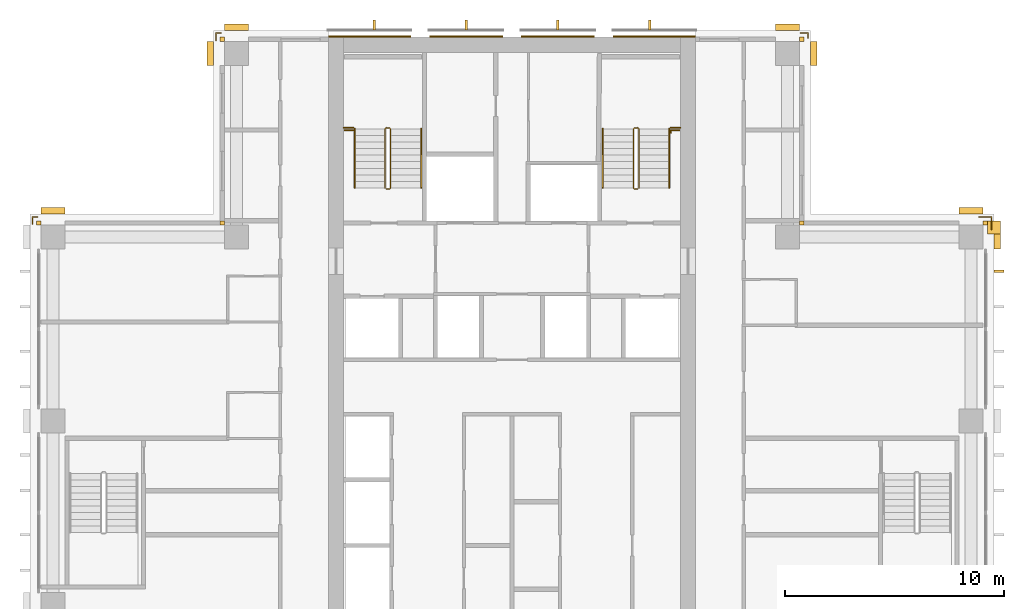
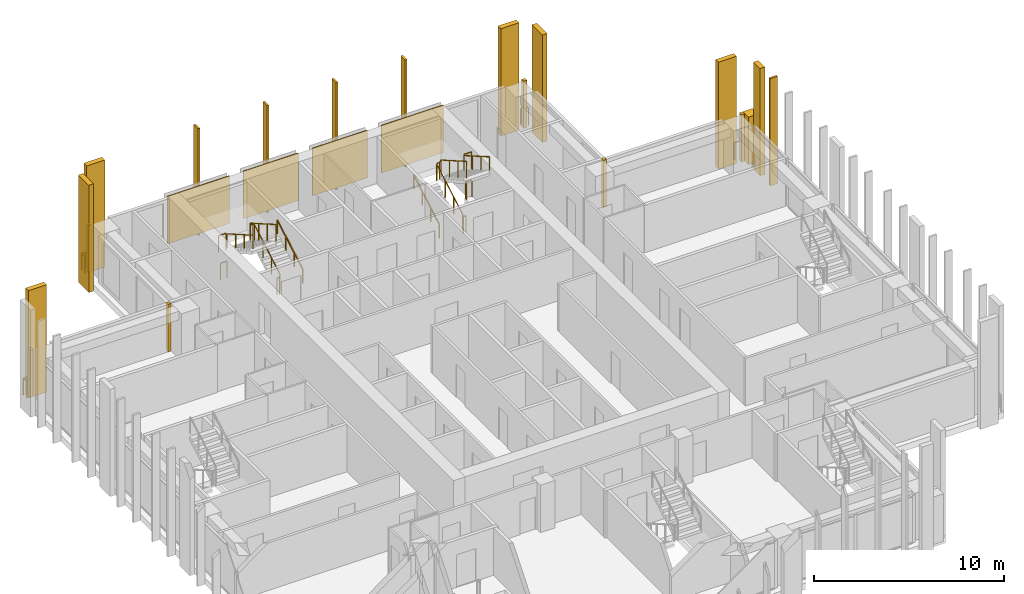
# One storey, part 17 of 17: 23 coverings, 14 railings.
"""IFC4 building model written with IfcOpenShell, lengths in metres."""

from ifc_helpers import new_model, si_unit, direction, frame, origin, origin_2d, place, context, subcontext, project, spatial, polyline, rectangle, outline, extrude, material, layer, layer_set, type_object, element, save


model = new_model("IFC4")

# Units and contexts
model_context = context("Model", 3, precision=1e-05, world=origin(), true_north=direction((0.0, 1.0)))
body_context = subcontext(model_context, "Body", "Model", "MODEL_VIEW")
ifc_project = project(units=[si_unit("LENGTHUNIT", "METRE"), si_unit("AREAUNIT", "SQUARE_METRE"), si_unit("VOLUMEUNIT", "CUBIC_METRE"), si_unit("PLANEANGLEUNIT", "RADIAN"), si_unit("MASSUNIT", "GRAM", prefix="KILO")], contexts=[model_context])

# Site, building, storey
site_placement = place(None, origin())
site = spatial("IfcSite", under=ifc_project, at=site_placement, CompositionType="ELEMENT")
building_placement = place(site_placement, origin())
building = spatial("IfcBuilding", under=site, at=building_placement, Name="Vermilion Ogive Tower", CompositionType="ELEMENT")
storey_placement = place(building_placement, frame((0.0, 0.0, 157.25)))
storey = spatial("IfcBuildingStorey", under=building, at=storey_placement, Name="L40", CompositionType="ELEMENT", Elevation=157.25)

# Coverings
ifc_material_1 = material(Name="Glazed ceramic screen")
ifc_layer = layer(ifc_material_1, 0.14990234375)
ifc_layer_set = layer_set([ifc_layer], Name="Ceramic solar screen fin")
covering_type_1 = type_object("IfcCoveringType", Name="Ceramic solar screen fin", PredefinedType="CLADDING", material=ifc_layer_set)
covering_1_placement = place(storey_placement, frame((0.0, 0.0, -0.39990234375)))
element("IfcCovering", 1, at=covering_1_placement, inside=storey, type_object=covering_type_1, Name="Solar screen blade E022", PredefinedType="CLADDING", context=body_context, shape_type="SweptSolid", body=[
    extrude(outline(polyline([(22.5, 10.9775390625), (22.5, 11.097412109375), (22.050048828125, 11.097412109375), (22.050048828125, 10.9775390625), (22.5, 10.9775390625)])), origin(), (0.0, 0.0, 1.0), 6.89990234375),
])
covering_2_placement = place(storey_placement, frame((0.0, 0.0, -0.39990234375)))
element("IfcCovering", 2, at=covering_2_placement, inside=storey, type_object=covering_type_1, Name="Solar screen blade N1", PredefinedType="CLADDING", context=body_context, shape_type="SweptSolid", body=[
    extrude(outline(polyline([(-6.360107421875, 22.08203125), (-6.239990234375, 22.08203125), (-6.239990234375, 22.531982421875), (-6.360107421875, 22.531982421875), (-6.360107421875, 22.08203125)])), origin(), (0.0, 0.0, 1.0), 6.89990234375),
])
covering_3_placement = place(storey_placement, frame((0.0, 0.0, -0.39990234375)))
element("IfcCovering", 3, at=covering_3_placement, inside=storey, type_object=covering_type_1, Name="Solar screen blade N2", PredefinedType="CLADDING", context=body_context, shape_type="SweptSolid", body=[
    extrude(outline(polyline([(-2.159912109375, 22.08203125), (-2.0400390625, 22.08203125), (-2.0400390625, 22.531982421875), (-2.159912109375, 22.531982421875), (-2.159912109375, 22.08203125)])), origin(), (0.0, 0.0, 1.0), 6.89990234375),
])
covering_4_placement = place(storey_placement, frame((0.0, 0.0, -0.39990234375)))
element("IfcCovering", 4, at=covering_4_placement, inside=storey, type_object=covering_type_1, Name="Solar screen blade N3", PredefinedType="CLADDING", context=body_context, shape_type="SweptSolid", body=[
    extrude(outline(polyline([(2.0400390625, 22.08203125), (2.159912109375, 22.08203125), (2.159912109375, 22.531982421875), (2.0400390625, 22.531982421875), (2.0400390625, 22.08203125)])), origin(), (0.0, 0.0, 1.0), 6.89990234375),
])
covering_5_placement = place(storey_placement, frame((0.0, 0.0, -0.39990234375)))
element("IfcCovering", 5, at=covering_5_placement, inside=storey, type_object=covering_type_1, Name="Solar screen blade N4", PredefinedType="CLADDING", context=body_context, shape_type="SweptSolid", body=[
    extrude(outline(polyline([(6.239990234375, 22.08203125), (6.360107421875, 22.08203125), (6.360107421875, 22.531982421875), (6.239990234375, 22.531982421875), (6.239990234375, 22.08203125)])), origin(), (0.0, 0.0, 1.0), 6.89990234375),
])

# Railings
ifc_material_2 = material(Name="Stainless steel", Category="steel")
railing_type_1 = type_object("IfcRailingType", Name="Slab edge guard SG1", PredefinedType="GUARDRAIL", material=ifc_material_2)
railing_1_placement = place(storey_placement, frame((-21.929931640625, 13.199951171875, 0.0)))
element("IfcRailing", 6, at=railing_1_placement, inside=storey, type_object=railing_type_1, Name="L40 slab corner guard", PredefinedType="GUARDRAIL", context=body_context, shape_type="SweptSolid", body=[
    extrude(rectangle(XDim=0.050048828125, YDim=0.050048828125, at=origin_2d()), frame((0.0, 0.0, 1.0751953125), z_axis=(0.0, 1.0, 0.0), x_axis=(-1.0, 0.0, 0.0)), (0.0, 0.0, 1.0), 0.330078125),
    extrude(rectangle(XDim=0.050048828125, YDim=0.050048828125, at=origin_2d()), frame((0.0, 0.330078125, 1.0751953125), z_axis=(1.0, 0.0, 0.0), x_axis=(0.0, 1.0, 0.0)), (0.0, 0.0, 1.0), 0.22998046875),
    extrude(rectangle(XDim=0.050048828125, YDim=0.050048828125, at=origin_2d()), origin(), (0.0, 0.0, 1.0), 1.050048828125),
    extrude(rectangle(XDim=0.050048828125, YDim=0.050048828125, at=origin_2d()), frame((0.0, 0.330078125, 0.0)), (0.0, 0.0, 1.0), 1.050048828125),
    extrude(rectangle(XDim=0.050048828125, YDim=0.050048828125, at=origin_2d()), frame((0.22998046875, 0.330078125, 0.0)), (0.0, 0.0, 1.0), 1.050048828125),
])
railing_2_placement = place(storey_placement, frame((-13.530029296875, 21.60009765625, 0.0)))
element("IfcRailing", 7, at=railing_2_placement, inside=storey, type_object=railing_type_1, Name="L40 slab corner guard", PredefinedType="GUARDRAIL", context=body_context, shape_type="SweptSolid", body=[
    extrude(rectangle(XDim=0.050048828125, YDim=0.050048828125, at=origin_2d()), frame((0.0, 0.0, 1.0751953125), z_axis=(0.0, 1.0, 0.0), x_axis=(-1.0, 0.0, 0.0)), (0.0, 0.0, 1.0), 0.329833984375),
    extrude(rectangle(XDim=0.050048828125, YDim=0.050048828125, at=origin_2d()), frame((0.0, 0.329833984375, 1.0751953125), z_axis=(1.0, 0.0, 0.0), x_axis=(0.0, 1.0, 0.0)), (0.0, 0.0, 1.0), 0.22998046875),
    extrude(rectangle(XDim=0.050048828125, YDim=0.050048828125, at=origin_2d()), origin(), (0.0, 0.0, 1.0), 1.050048828125),
    extrude(rectangle(XDim=0.050048828125, YDim=0.050048828125, at=origin_2d()), frame((0.0, 0.329833984375, 0.0)), (0.0, 0.0, 1.0), 1.050048828125),
    extrude(rectangle(XDim=0.050048828125, YDim=0.050048828125, at=origin_2d()), frame((0.22998046875, 0.329833984375, 0.0)), (0.0, 0.0, 1.0), 1.050048828125),
])
railing_3_placement = place(storey_placement, frame((13.199951171875, 21.929931640625, 0.0)))
element("IfcRailing", 8, at=railing_3_placement, inside=storey, type_object=railing_type_1, Name="L40 slab corner guard", PredefinedType="GUARDRAIL", context=body_context, shape_type="SweptSolid", body=[
    extrude(rectangle(XDim=0.050048828125, YDim=0.050048828125, at=origin_2d()), frame((0.0, 0.0, 1.0751953125), z_axis=(1.0, 0.0, 0.0), x_axis=(0.0, 1.0, 0.0)), (0.0, 0.0, 1.0), 0.330078125),
    extrude(rectangle(XDim=0.050048828125, YDim=0.050048828125, at=origin_2d()), frame((0.330078125, 0.0, 1.0751953125), z_axis=(0.0, -1.0, 0.0), x_axis=(1.0, 0.0, 0.0)), (0.0, 0.0, 1.0), 0.22998046875),
    extrude(rectangle(XDim=0.050048828125, YDim=0.050048828125, at=origin_2d()), origin(), (0.0, 0.0, 1.0), 1.050048828125),
    extrude(rectangle(XDim=0.050048828125, YDim=0.050048828125, at=origin_2d()), frame((0.330078125, 0.0, 0.0)), (0.0, 0.0, 1.0), 1.050048828125),
    extrude(rectangle(XDim=0.050048828125, YDim=0.050048828125, at=origin_2d()), frame((0.330078125, -0.22998046875, 0.0)), (0.0, 0.0, 1.0), 1.050048828125),
])
railing_4_placement = place(storey_placement, frame((21.929931640625, 12.949951171875, 0.0)))
element("IfcRailing", 9, at=railing_4_placement, inside=storey, type_object=railing_type_1, Name="L40 slab corner guard", PredefinedType="GUARDRAIL", context=body_context, shape_type="SweptSolid", body=[
    extrude(rectangle(XDim=0.050048828125, YDim=0.050048828125, at=origin_2d()), frame((0.0, 0.0, 1.0751953125), z_axis=(0.0, 1.0, 0.0), x_axis=(-1.0, 0.0, 0.0)), (0.0, 0.0, 1.0), 0.580078125),
    extrude(rectangle(XDim=0.050048828125, YDim=0.050048828125, at=origin_2d()), frame((0.0, 0.580078125, 1.0751953125), z_axis=(-1.0, 0.0, 0.0), x_axis=(0.0, -1.0, 0.0)), (0.0, 0.0, 1.0), 0.579833984375),
    extrude(rectangle(XDim=0.050048828125, YDim=0.050048828125, at=origin_2d()), origin(), (0.0, 0.0, 1.0), 1.050048828125),
    extrude(rectangle(XDim=0.050048828125, YDim=0.050048828125, at=origin_2d()), frame((0.0, 0.580078125, 0.0)), (0.0, 0.0, 1.0), 1.050048828125),
    extrude(rectangle(XDim=0.050048828125, YDim=0.050048828125, at=origin_2d()), frame((-0.579833984375, 0.580078125, 0.0)), (0.0, 0.0, 1.0), 1.050048828125),
])
ifc_material_3 = material(Name="Steel S355 painted", Category="steel")
railing_type_2 = type_object("IfcRailingType", Name="Stair guard 1100", PredefinedType="GUARDRAIL", material=ifc_material_3)
railing_5_placement = place(storey_placement, frame((-5.75, 14.800048828125, 0.0)))
element("IfcRailing", 10, at=railing_5_placement, inside=storey, type_object=railing_type_2, Name="L40 ST1 stair guard 4", PredefinedType="GUARDRAIL", context=body_context, shape_type="SweptSolid", body=[
    extrude(rectangle(XDim=0.048095703125, YDim=0.048095703125, at=origin_2d()), frame((0.0, 0.0, 1.076171875), z_axis=(1.0, 0.0, 0.0), x_axis=(0.0, 1.0, 0.0)), (0.0, 0.0, 1.0), 0.14990234375),
    extrude(rectangle(XDim=0.048095703125, YDim=0.048095703125, at=origin_2d()), frame((0.14990234375, 0.0, 1.076171875), z_axis=(0.268277960024, 0.268277960024, 0.925231793839), x_axis=(-0.707106781187, 0.707106781187, 0.0)), (0.0, 0.0, 1.0), 0.1865234375),
    extrude(rectangle(XDim=0.048095703125, YDim=0.048095703125, at=origin_2d()), frame((0.199951171875, 0.050048828125, 1.24853515625), z_axis=(0.0, 0.866903762492, 0.498475542607), x_axis=(-1.0, 0.0, 0.0)), (0.0, 0.0, 1.0), 3.114501953125),
    extrude(rectangle(XDim=0.048095703125, YDim=0.048095703125, at=origin_2d()), frame((0.199951171875, 2.75, 2.80126953125), z_axis=(-0.707106781187, 0.707106781187, 0.0), x_axis=(-0.707106781187, -0.707106781187, 0.0)), (0.0, 0.0, 1.0), 0.07080078125),
    extrude(rectangle(XDim=0.048095703125, YDim=0.048095703125, at=origin_2d()), frame((0.14990234375, 2.800048828125, 2.80126953125), z_axis=(-1.0, 0.0, 0.0), x_axis=(0.0, -1.0, 0.0)), (0.0, 0.0, 1.0), 0.14990234375),
    extrude(rectangle(XDim=0.048095703125, YDim=0.048095703125, at=origin_2d()), frame((0.0, 2.800048828125, 2.80126953125), z_axis=(-0.268603158521, -0.268603158521, 0.925043072762), x_axis=(0.707106781187, -0.707106781187, 0.0)), (0.0, 0.0, 1.0), 0.186279296875),
    extrude(rectangle(XDim=0.048095703125, YDim=0.048095703125, at=origin_2d()), frame((-0.050048828125, 2.75, 2.9736328125), z_axis=(0.0, -0.866903762492, 0.498475542607), x_axis=(1.0, 0.0, 0.0)), (0.0, 0.0, 1.0), 3.114501953125),
    extrude(rectangle(XDim=0.0419921875, YDim=0.0419921875, at=origin_2d()), origin(), (0.0, 0.0, 1.0), 1.052001953125),
    extrude(rectangle(XDim=0.0419921875, YDim=0.0419921875, at=origin_2d()), frame((0.14990234375, 0.0, 0.0)), (0.0, 0.0, 1.0), 1.052001953125),
    extrude(rectangle(XDim=0.0419921875, YDim=0.0419921875, at=origin_2d()), frame((0.199951171875, 0.050048828125, 0.172607421875)), (0.0, 0.0, 1.0), 1.052001953125),
    extrude(rectangle(XDim=0.0419921875, YDim=0.0419921875, at=origin_2d()), frame((0.199951171875, 0.949951171875, 0.690185546875)), (0.0, 0.0, 1.0), 1.052001953125),
    extrude(rectangle(XDim=0.0419921875, YDim=0.0419921875, at=origin_2d()), frame((0.199951171875, 1.85009765625, 1.20751953125)), (0.0, 0.0, 1.0), 1.052001953125),
    extrude(rectangle(XDim=0.0419921875, YDim=0.0419921875, at=origin_2d()), frame((0.199951171875, 2.75, 1.72509765625)), (0.0, 0.0, 1.0), 1.052001953125),
    extrude(rectangle(XDim=0.0419921875, YDim=0.0419921875, at=origin_2d()), frame((0.14990234375, 2.800048828125, 1.72509765625)), (0.0, 0.0, 1.0), 1.052001953125),
    extrude(rectangle(XDim=0.0419921875, YDim=0.0419921875, at=origin_2d()), frame((0.0, 2.800048828125, 1.72509765625)), (0.0, 0.0, 1.0), 1.052001953125),
    extrude(rectangle(XDim=0.0419921875, YDim=0.0419921875, at=origin_2d()), frame((-0.050048828125, 2.75, 1.8974609375)), (0.0, 0.0, 1.0), 1.052001953125),
    extrude(rectangle(XDim=0.0419921875, YDim=0.0419921875, at=origin_2d()), frame((-0.050048828125, 1.85009765625, 2.4150390625)), (0.0, 0.0, 1.0), 1.052001953125),
    extrude(rectangle(XDim=0.0419921875, YDim=0.0419921875, at=origin_2d()), frame((-0.050048828125, 0.949951171875, 2.932373046875)), (0.0, 0.0, 1.0), 1.052001953125),
    extrude(rectangle(XDim=0.0419921875, YDim=0.0419921875, at=origin_2d()), frame((-0.050048828125, 0.050048828125, 3.449951171875)), (0.0, 0.0, 1.0), 1.052001953125),
])
railing_6_placement = place(storey_placement, frame((5.75, 14.800048828125, 0.0)))
element("IfcRailing", 11, at=railing_6_placement, inside=storey, type_object=railing_type_2, Name="L40 ST2 stair guard 4", PredefinedType="GUARDRAIL", context=body_context, shape_type="SweptSolid", body=[
    extrude(rectangle(XDim=0.048095703125, YDim=0.048095703125, at=origin_2d()), frame((0.0, 0.0, 1.076171875), z_axis=(-1.0, 0.0, 0.0), x_axis=(0.0, -1.0, 0.0)), (0.0, 0.0, 1.0), 0.14990234375),
    extrude(rectangle(XDim=0.048095703125, YDim=0.048095703125, at=origin_2d()), frame((-0.14990234375, 0.0, 1.076171875), z_axis=(-0.268277960024, 0.268277960024, 0.925231793839), x_axis=(-0.707106781187, -0.707106781187, 0.0)), (0.0, 0.0, 1.0), 0.1865234375),
    extrude(rectangle(XDim=0.048095703125, YDim=0.048095703125, at=origin_2d()), frame((-0.199951171875, 0.050048828125, 1.24853515625), z_axis=(0.0, 0.866903762492, 0.498475542607), x_axis=(-1.0, 0.0, 0.0)), (0.0, 0.0, 1.0), 3.114501953125),
    extrude(rectangle(XDim=0.048095703125, YDim=0.048095703125, at=origin_2d()), frame((-0.199951171875, 2.75, 2.80126953125), z_axis=(0.707106781187, 0.707106781187, 0.0), x_axis=(-0.707106781187, 0.707106781187, 0.0)), (0.0, 0.0, 1.0), 0.07080078125),
    extrude(rectangle(XDim=0.048095703125, YDim=0.048095703125, at=origin_2d()), frame((-0.14990234375, 2.800048828125, 2.80126953125), z_axis=(1.0, 0.0, 0.0), x_axis=(0.0, 1.0, 0.0)), (0.0, 0.0, 1.0), 0.14990234375),
    extrude(rectangle(XDim=0.048095703125, YDim=0.048095703125, at=origin_2d()), frame((0.0, 2.800048828125, 2.80126953125), z_axis=(0.268603158521, -0.268603158521, 0.925043072762), x_axis=(0.707106781187, 0.707106781187, 0.0)), (0.0, 0.0, 1.0), 0.186279296875),
    extrude(rectangle(XDim=0.048095703125, YDim=0.048095703125, at=origin_2d()), frame((0.050048828125, 2.75, 2.9736328125), z_axis=(0.0, -0.866903762492, 0.498475542607), x_axis=(1.0, 0.0, 0.0)), (0.0, 0.0, 1.0), 3.114501953125),
    extrude(rectangle(XDim=0.0419921875, YDim=0.0419921875, at=origin_2d()), origin(), (0.0, 0.0, 1.0), 1.052001953125),
    extrude(rectangle(XDim=0.0419921875, YDim=0.0419921875, at=origin_2d()), frame((-0.14990234375, 0.0, 0.0)), (0.0, 0.0, 1.0), 1.052001953125),
    extrude(rectangle(XDim=0.0419921875, YDim=0.0419921875, at=origin_2d()), frame((-0.199951171875, 0.050048828125, 0.172607421875)), (0.0, 0.0, 1.0), 1.052001953125),
    extrude(rectangle(XDim=0.0419921875, YDim=0.0419921875, at=origin_2d()), frame((-0.199951171875, 0.949951171875, 0.690185546875)), (0.0, 0.0, 1.0), 1.052001953125),
    extrude(rectangle(XDim=0.0419921875, YDim=0.0419921875, at=origin_2d()), frame((-0.199951171875, 1.85009765625, 1.20751953125)), (0.0, 0.0, 1.0), 1.052001953125),
    extrude(rectangle(XDim=0.0419921875, YDim=0.0419921875, at=origin_2d()), frame((-0.199951171875, 2.75, 1.72509765625)), (0.0, 0.0, 1.0), 1.052001953125),
    extrude(rectangle(XDim=0.0419921875, YDim=0.0419921875, at=origin_2d()), frame((-0.14990234375, 2.800048828125, 1.72509765625)), (0.0, 0.0, 1.0), 1.052001953125),
    extrude(rectangle(XDim=0.0419921875, YDim=0.0419921875, at=origin_2d()), frame((0.0, 2.800048828125, 1.72509765625)), (0.0, 0.0, 1.0), 1.052001953125),
    extrude(rectangle(XDim=0.0419921875, YDim=0.0419921875, at=origin_2d()), frame((0.050048828125, 2.75, 1.8974609375)), (0.0, 0.0, 1.0), 1.052001953125),
    extrude(rectangle(XDim=0.0419921875, YDim=0.0419921875, at=origin_2d()), frame((0.050048828125, 1.85009765625, 2.4150390625)), (0.0, 0.0, 1.0), 1.052001953125),
    extrude(rectangle(XDim=0.0419921875, YDim=0.0419921875, at=origin_2d()), frame((0.050048828125, 0.949951171875, 2.932373046875)), (0.0, 0.0, 1.0), 1.052001953125),
    extrude(rectangle(XDim=0.0419921875, YDim=0.0419921875, at=origin_2d()), frame((0.050048828125, 0.050048828125, 3.449951171875)), (0.0, 0.0, 1.0), 1.052001953125),
])
for number, where, name in (
    (12, (-7.699951171875, 17.60009765625, 1.72509765625), "L40 landing guard"),
    (13, (7.25, 17.60009765625, 1.72509765625), "L40 landing guard"),
):
    element("IfcRailing", number, at=place(storey_placement, frame(where)), inside=storey, type_object=railing_type_2, Name=name, PredefinedType="GUARDRAIL", context=body_context, shape_type="SweptSolid", body=[
        extrude(rectangle(XDim=0.048095703125, YDim=0.048095703125, at=origin_2d()), frame((0.0, 0.0, 1.076171875), z_axis=(1.0, 0.0, 0.0), x_axis=(0.0, 1.0, 0.0)), (0.0, 0.0, 1.0), 0.449951171875),
        extrude(rectangle(XDim=0.0419921875, YDim=0.0419921875, at=origin_2d()), origin(), (0.0, 0.0, 1.0), 1.052001953125),
        extrude(rectangle(XDim=0.0419921875, YDim=0.0419921875, at=origin_2d()), frame((0.449951171875, 0.0, 0.0)), (0.0, 0.0, 1.0), 1.052001953125),
    ])
railing_7_placement = place(storey_placement, frame((-7.639892578125, 17.489990234375, 0.0)))
element("IfcRailing", 14, at=railing_7_placement, inside=storey, type_object=railing_type_2, Name="L40 stair opening guard", PredefinedType="GUARDRAIL", context=body_context, shape_type="SweptSolid", body=[
    extrude(rectangle(XDim=0.048095703125, YDim=0.048095703125, at=origin_2d()), frame((0.0, 0.0, 1.076171875), z_axis=(1.0, 0.0, 0.0), x_axis=(0.0, 1.0, 0.0)), (0.0, 0.0, 1.0), 0.389892578125),
    extrude(rectangle(XDim=0.0419921875, YDim=0.0419921875, at=origin_2d()), origin(), (0.0, 0.0, 1.0), 1.052001953125),
    extrude(rectangle(XDim=0.0419921875, YDim=0.0419921875, at=origin_2d()), frame((0.389892578125, 0.0, 0.0)), (0.0, 0.0, 1.0), 1.052001953125),
])
railing_8_placement = place(storey_placement, frame((7.267578125, 17.372802734375, 0.0)))
element("IfcRailing", 15, at=railing_8_placement, inside=storey, type_object=railing_type_2, Name="L40 stair opening guard", PredefinedType="GUARDRAIL", context=body_context, shape_type="SweptSolid", body=[
    extrude(rectangle(XDim=0.048095703125, YDim=0.048095703125, at=origin_2d()), frame((0.0, 0.0, 1.076171875), z_axis=(0.0, 1.0, 0.0), x_axis=(-1.0, 0.0, 0.0)), (0.0, 0.0, 1.0), 0.119873046875),
    extrude(rectangle(XDim=0.048095703125, YDim=0.048095703125, at=origin_2d()), frame((0.0, 0.119873046875, 1.076171875), z_axis=(1.0, 0.0, 0.0), x_axis=(0.0, 1.0, 0.0)), (0.0, 0.0, 1.0), 0.39013671875),
    extrude(rectangle(XDim=0.0419921875, YDim=0.0419921875, at=origin_2d()), origin(), (0.0, 0.0, 1.0), 1.052001953125),
    extrude(rectangle(XDim=0.0419921875, YDim=0.0419921875, at=origin_2d()), frame((0.0, 0.119873046875, 0.0)), (0.0, 0.0, 1.0), 1.052001953125),
    extrude(rectangle(XDim=0.0419921875, YDim=0.0419921875, at=origin_2d()), frame((0.39013671875, 0.119873046875, 0.0)), (0.0, 0.0, 1.0), 1.052001953125),
])
ifc_material_4 = material(Name="Stainless steel", Category="steel")
railing_type_3 = type_object("IfcRailingType", Name="Stair handrail 900", PredefinedType="HANDRAIL", material=ifc_material_4)
railing_9_placement = place(storey_placement, frame((-4.14990234375, 14.85009765625, 0.172607421875)))
element("IfcRailing", 16, at=railing_9_placement, inside=storey, type_object=railing_type_3, Name="L40 ST1 stair handrail 1", PredefinedType="HANDRAIL", context=body_context, shape_type="SweptSolid", body=[
    extrude(rectangle(XDim=0.048095703125, YDim=0.048095703125, at=origin_2d()), frame((0.0, 0.0, 0.8759765625), z_axis=(0.0, 0.866903762492, 0.498475542607), x_axis=(-1.0, 0.0, 0.0)), (0.0, 0.0, 1.0), 3.114501953125),
    extrude(rectangle(XDim=0.0419921875, YDim=0.0419921875, at=origin_2d()), origin(), (0.0, 0.0, 1.0), 0.851806640625),
    extrude(rectangle(XDim=0.0419921875, YDim=0.0419921875, at=origin_2d()), frame((0.0, 0.89990234375, 0.517578125)), (0.0, 0.0, 1.0), 0.851806640625),
    extrude(rectangle(XDim=0.0419921875, YDim=0.0419921875, at=origin_2d()), frame((0.0, 1.800048828125, 1.034912109375)), (0.0, 0.0, 1.0), 0.851806640625),
    extrude(rectangle(XDim=0.0419921875, YDim=0.0419921875, at=origin_2d()), frame((0.0, 2.699951171875, 1.552490234375)), (0.0, 0.0, 1.0), 0.851806640625),
])
railing_10_placement = place(storey_placement, frame((-7.199951171875, 17.550048828125, 1.8974609375)))
element("IfcRailing", 17, at=railing_10_placement, inside=storey, type_object=railing_type_3, Name="L40 ST1 stair handrail 2", PredefinedType="HANDRAIL", context=body_context, shape_type="SweptSolid", body=[
    extrude(rectangle(XDim=0.048095703125, YDim=0.048095703125, at=origin_2d()), frame((0.0, 0.0, 0.8759765625), z_axis=(0.0, -0.866903762492, 0.498475542607), x_axis=(1.0, 0.0, 0.0)), (0.0, 0.0, 1.0), 3.114501953125),
    extrude(rectangle(XDim=0.0419921875, YDim=0.0419921875, at=origin_2d()), origin(), (0.0, 0.0, 1.0), 0.851806640625),
    extrude(rectangle(XDim=0.0419921875, YDim=0.0419921875, at=origin_2d()), frame((0.0, -0.89990234375, 0.517578125)), (0.0, 0.0, 1.0), 0.851806640625),
    extrude(rectangle(XDim=0.0419921875, YDim=0.0419921875, at=origin_2d()), frame((0.0, -1.800048828125, 1.034912109375)), (0.0, 0.0, 1.0), 0.851806640625),
    extrude(rectangle(XDim=0.0419921875, YDim=0.0419921875, at=origin_2d()), frame((0.0, -2.699951171875, 1.552490234375)), (0.0, 0.0, 1.0), 0.851806640625),
])
railing_11_placement = place(storey_placement, frame((4.14990234375, 14.85009765625, 0.172607421875)))
element("IfcRailing", 18, at=railing_11_placement, inside=storey, type_object=railing_type_3, Name="L40 ST2 stair handrail 1", PredefinedType="HANDRAIL", context=body_context, shape_type="SweptSolid", body=[
    extrude(rectangle(XDim=0.048095703125, YDim=0.048095703125, at=origin_2d()), frame((0.0, 0.0, 0.8759765625), z_axis=(0.0, 0.866903762492, 0.498475542607), x_axis=(-1.0, 0.0, 0.0)), (0.0, 0.0, 1.0), 3.114501953125),
    extrude(rectangle(XDim=0.0419921875, YDim=0.0419921875, at=origin_2d()), origin(), (0.0, 0.0, 1.0), 0.851806640625),
    extrude(rectangle(XDim=0.0419921875, YDim=0.0419921875, at=origin_2d()), frame((0.0, 0.89990234375, 0.517578125)), (0.0, 0.0, 1.0), 0.851806640625),
    extrude(rectangle(XDim=0.0419921875, YDim=0.0419921875, at=origin_2d()), frame((0.0, 1.800048828125, 1.034912109375)), (0.0, 0.0, 1.0), 0.851806640625),
    extrude(rectangle(XDim=0.0419921875, YDim=0.0419921875, at=origin_2d()), frame((0.0, 2.699951171875, 1.552490234375)), (0.0, 0.0, 1.0), 0.851806640625),
])
railing_12_placement = place(storey_placement, frame((7.199951171875, 17.550048828125, 1.8974609375)))
element("IfcRailing", 19, at=railing_12_placement, inside=storey, type_object=railing_type_3, Name="L40 ST2 stair handrail 2", PredefinedType="HANDRAIL", context=body_context, shape_type="SweptSolid", body=[
    extrude(rectangle(XDim=0.048095703125, YDim=0.048095703125, at=origin_2d()), frame((0.0, 0.0, 0.8759765625), z_axis=(0.0, -0.866903762492, 0.498475542607), x_axis=(1.0, 0.0, 0.0)), (0.0, 0.0, 1.0), 3.114501953125),
    extrude(rectangle(XDim=0.0419921875, YDim=0.0419921875, at=origin_2d()), origin(), (0.0, 0.0, 1.0), 0.851806640625),
    extrude(rectangle(XDim=0.0419921875, YDim=0.0419921875, at=origin_2d()), frame((0.0, -0.89990234375, 0.517578125)), (0.0, 0.0, 1.0), 0.851806640625),
    extrude(rectangle(XDim=0.0419921875, YDim=0.0419921875, at=origin_2d()), frame((0.0, -1.800048828125, 1.034912109375)), (0.0, 0.0, 1.0), 0.851806640625),
    extrude(rectangle(XDim=0.0419921875, YDim=0.0419921875, at=origin_2d()), frame((0.0, -2.699951171875, 1.552490234375)), (0.0, 0.0, 1.0), 0.851806640625),
])

# Coverings
ifc_material_5 = material(Name="Stone cladding", Category="masonry")
covering_type_2 = type_object("IfcCoveringType", Name="Stone cladding panel", PredefinedType="CLADDING", material=ifc_material_5)
covering_6_placement = place(storey_placement, origin())
element("IfcCovering", 20, at=covering_6_placement, inside=storey, type_object=covering_type_2, Name="Stone cladding panel N1", PredefinedType="CLADDING", context=body_context, shape_type="SweptSolid", body=[
    extrude(outline(polyline([(-8.389892578125, 21.75), (-4.6298828125, 21.75), (-4.6298828125, 21.81005859375), (-8.389892578125, 21.81005859375), (-8.389892578125, 21.75)])), origin(), (0.0, 0.0, 1.0), 3.050048828125),
])
covering_7_placement = place(storey_placement, origin())
element("IfcCovering", 21, at=covering_7_placement, inside=storey, type_object=covering_type_2, Name="Stone cladding panel N2", PredefinedType="CLADDING", context=body_context, shape_type="SweptSolid", body=[
    extrude(outline(polyline([(-3.77001953125, 21.75), (-0.429931640625, 21.75), (-0.429931640625, 21.81005859375), (-3.77001953125, 21.81005859375), (-3.77001953125, 21.75)])), origin(), (0.0, 0.0, 1.0), 3.050048828125),
])
covering_8_placement = place(storey_placement, origin())
element("IfcCovering", 22, at=covering_8_placement, inside=storey, type_object=covering_type_2, Name="Stone cladding panel N3", PredefinedType="CLADDING", context=body_context, shape_type="SweptSolid", body=[
    extrude(outline(polyline([(0.429931640625, 21.75), (3.77001953125, 21.75), (3.77001953125, 21.81005859375), (0.429931640625, 21.81005859375), (0.429931640625, 21.75)])), origin(), (0.0, 0.0, 1.0), 3.050048828125),
])
covering_9_placement = place(storey_placement, origin())
element("IfcCovering", 23, at=covering_9_placement, inside=storey, type_object=covering_type_2, Name="Stone cladding panel N4", PredefinedType="CLADDING", context=body_context, shape_type="SweptSolid", body=[
    extrude(outline(polyline([(4.6298828125, 21.75), (8.389892578125, 21.75), (8.389892578125, 21.81005859375), (4.6298828125, 21.81005859375), (4.6298828125, 21.75)])), origin(), (0.0, 0.0, 1.0), 3.050048828125),
])
ifc_material_6 = material(Name="Stone cladding", Category="masonry")
covering_type_3 = type_object("IfcCoveringType", Name="Stone corner buttress", PredefinedType="CLADDING", material=ifc_material_6)
covering_10_placement = place(storey_placement, origin())
element("IfcCovering", 24, at=covering_10_placement, inside=storey, type_object=covering_type_3, Name="Stone crease pier EK", PredefinedType="CLADDING", context=body_context, shape_type="SweptSolid", body=[
    extrude(outline(polyline([(22.35009765625, 12.75), (22.35009765625, 13.35009765625), (21.75, 13.35009765625), (21.75, 12.75), (22.35009765625, 12.75)])), origin(), (0.0, 0.0, 1.0), 3.050048828125),
])
ifc_material_7 = material(Name="Stone cladding", Category="masonry")
covering_type_4 = type_object("IfcCoveringType", Name="Stone pier", PredefinedType="CLADDING", material=ifc_material_7)
covering_11_placement = place(storey_placement, origin())
element("IfcCovering", 25, at=covering_11_placement, inside=storey, type_object=covering_type_4, Name="Stone corner pier EE1", PredefinedType="CLADDING", context=body_context, shape_type="SweptSolid", body=[
    extrude(outline(polyline([(21.75, 13.14990234375), (21.550048828125, 13.14990234375), (21.550048828125, 13.35009765625), (21.75, 13.35009765625), (21.75, 13.14990234375)])), origin(), (0.0, 0.0, 1.0), 3.050048828125),
])
covering_12_placement = place(storey_placement, origin())
element("IfcCovering", 26, at=covering_12_placement, inside=storey, type_object=covering_type_4, Name="Stone corner pier X3E1", PredefinedType="CLADDING", context=body_context, shape_type="SweptSolid", body=[
    extrude(outline(polyline([(13.14990234375, 13.14990234375), (13.14990234375, 13.35009765625), (13.35009765625, 13.35009765625), (13.35009765625, 13.14990234375), (13.14990234375, 13.14990234375)])), origin(), (0.0, 0.0, 1.0), 3.050048828125),
])
covering_13_placement = place(storey_placement, origin())
element("IfcCovering", 27, at=covering_13_placement, inside=storey, type_object=covering_type_4, Name="Stone corner pier X4E1", PredefinedType="CLADDING", context=body_context, shape_type="SweptSolid", body=[
    extrude(outline(polyline([(13.35009765625, 21.550048828125), (13.14990234375, 21.550048828125), (13.14990234375, 21.75), (13.35009765625, 21.75), (13.35009765625, 21.550048828125)])), origin(), (0.0, 0.0, 1.0), 3.050048828125),
])
covering_14_placement = place(storey_placement, origin())
element("IfcCovering", 28, at=covering_14_placement, inside=storey, type_object=covering_type_4, Name="Stone corner pier N2E1", PredefinedType="CLADDING", context=body_context, shape_type="SweptSolid", body=[
    extrude(outline(polyline([(-13.14990234375, 21.75), (-13.14990234375, 21.550048828125), (-13.35009765625, 21.550048828125), (-13.35009765625, 21.75), (-13.14990234375, 21.75)])), origin(), (0.0, 0.0, 1.0), 3.050048828125),
])
covering_15_placement = place(storey_placement, origin())
element("IfcCovering", 29, at=covering_15_placement, inside=storey, type_object=covering_type_4, Name="Stone corner pier X5E1", PredefinedType="CLADDING", context=body_context, shape_type="SweptSolid", body=[
    extrude(outline(polyline([(-13.14990234375, 13.14990234375), (-13.35009765625, 13.14990234375), (-13.35009765625, 13.35009765625), (-13.14990234375, 13.35009765625), (-13.14990234375, 13.14990234375)])), origin(), (0.0, 0.0, 1.0), 3.050048828125),
])
covering_16_placement = place(storey_placement, origin())
element("IfcCovering", 30, at=covering_16_placement, inside=storey, type_object=covering_type_4, Name="Stone corner pier X6E1", PredefinedType="CLADDING", context=body_context, shape_type="SweptSolid", body=[
    extrude(outline(polyline([(-21.550048828125, 13.35009765625), (-21.550048828125, 13.14990234375), (-21.75, 13.14990234375), (-21.75, 13.35009765625), (-21.550048828125, 13.35009765625)])), origin(), (0.0, 0.0, 1.0), 3.050048828125),
])
covering_17_placement = place(storey_placement, frame((0.0, 0.0, -0.39990234375)))
element("IfcCovering", 31, at=covering_17_placement, inside=storey, type_object=covering_type_4, Name="Stone pier P+0126+210X4", PredefinedType="CLADDING", context=body_context, shape_type="SweptSolid", body=[
    extrude(outline(polyline([(13.949951171875, 21.550048828125), (13.949951171875, 20.449951171875), (13.64990234375, 20.449951171875), (13.64990234375, 21.550048828125), (13.949951171875, 21.550048828125)])), origin(), (0.0, 0.0, 1.0), 6.89990234375),
])
covering_18_placement = place(storey_placement, frame((0.0, 0.0, -0.39990234375)))
element("IfcCovering", 32, at=covering_18_placement, inside=storey, type_object=covering_type_4, Name="Stone pier P+0126+210N1", PredefinedType="CLADDING", context=body_context, shape_type="SweptSolid", body=[
    extrude(outline(polyline([(13.14990234375, 22.35009765625), (13.14990234375, 22.050048828125), (12.050048828125, 22.050048828125), (12.050048828125, 22.35009765625), (13.14990234375, 22.35009765625)])), origin(), (0.0, 0.0, 1.0), 6.89990234375),
])
covering_19_placement = place(storey_placement, frame((0.0, 0.0, -0.39990234375)))
element("IfcCovering", 33, at=covering_19_placement, inside=storey, type_object=covering_type_4, Name="Stone pier P+0210+126E", PredefinedType="CLADDING", context=body_context, shape_type="SweptSolid", body=[
    extrude(outline(polyline([(22.35009765625, 12.050048828125), (22.050048828125, 12.050048828125), (22.050048828125, 12.75), (22.35009765625, 12.75), (22.35009765625, 12.050048828125)])), origin(), (0.0, 0.0, 1.0), 6.89990234375),
])
covering_20_placement = place(storey_placement, frame((0.0, 0.0, -0.39990234375)))
element("IfcCovering", 34, at=covering_20_placement, inside=storey, type_object=covering_type_4, Name="Stone pier P+0210+126X3", PredefinedType="CLADDING", context=body_context, shape_type="SweptSolid", body=[
    extrude(outline(polyline([(21.550048828125, 13.949951171875), (21.550048828125, 13.64990234375), (20.449951171875, 13.64990234375), (20.449951171875, 13.949951171875), (21.550048828125, 13.949951171875)])), origin(), (0.0, 0.0, 1.0), 6.89990234375),
])
covering_21_placement = place(storey_placement, frame((0.0, 0.0, -0.39990234375)))
element("IfcCovering", 35, at=covering_21_placement, inside=storey, type_object=covering_type_4, Name="Stone pier P-0126+210N2", PredefinedType="CLADDING", context=body_context, shape_type="SweptSolid", body=[
    extrude(outline(polyline([(-13.14990234375, 22.35009765625), (-12.050048828125, 22.35009765625), (-12.050048828125, 22.050048828125), (-13.14990234375, 22.050048828125), (-13.14990234375, 22.35009765625)])), origin(), (0.0, 0.0, 1.0), 6.89990234375),
])
covering_22_placement = place(storey_placement, frame((0.0, 0.0, -0.39990234375)))
element("IfcCovering", 36, at=covering_22_placement, inside=storey, type_object=covering_type_4, Name="Stone pier P-0126+210X5", PredefinedType="CLADDING", context=body_context, shape_type="SweptSolid", body=[
    extrude(outline(polyline([(-13.949951171875, 21.550048828125), (-13.64990234375, 21.550048828125), (-13.64990234375, 20.449951171875), (-13.949951171875, 20.449951171875), (-13.949951171875, 21.550048828125)])), origin(), (0.0, 0.0, 1.0), 6.89990234375),
])
covering_23_placement = place(storey_placement, frame((0.0, 0.0, -0.39990234375)))
element("IfcCovering", 37, at=covering_23_placement, inside=storey, type_object=covering_type_4, Name="Stone pier P-0210+126X6", PredefinedType="CLADDING", context=body_context, shape_type="SweptSolid", body=[
    extrude(outline(polyline([(-21.550048828125, 13.949951171875), (-20.449951171875, 13.949951171875), (-20.449951171875, 13.64990234375), (-21.550048828125, 13.64990234375), (-21.550048828125, 13.949951171875)])), origin(), (0.0, 0.0, 1.0), 6.89990234375),
])

save(model, "model.ifc")
